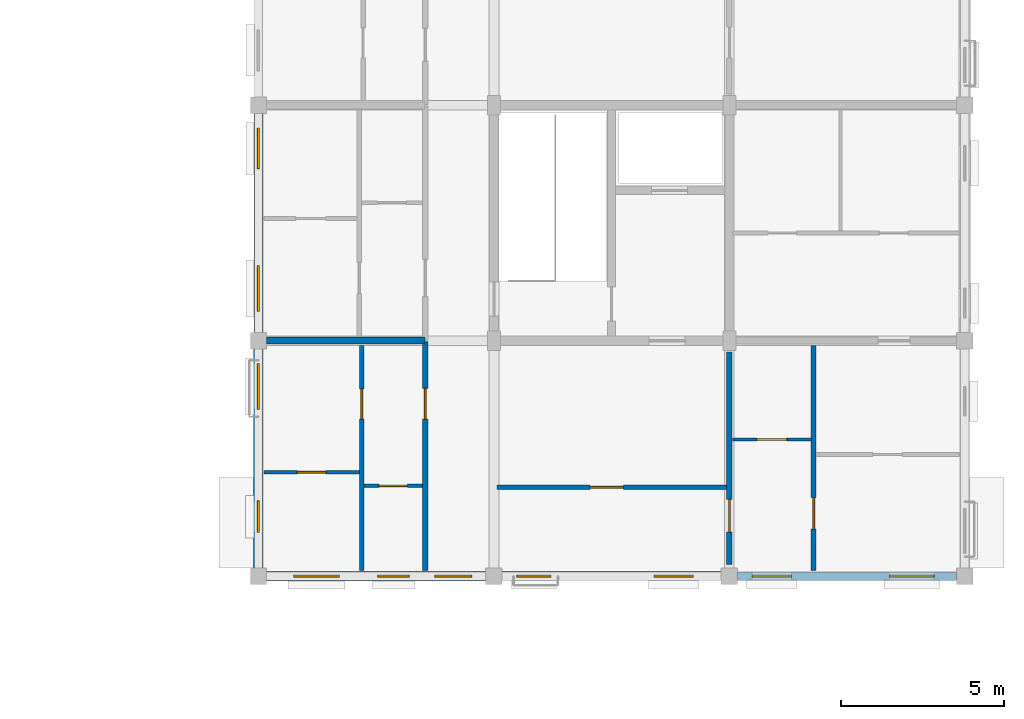
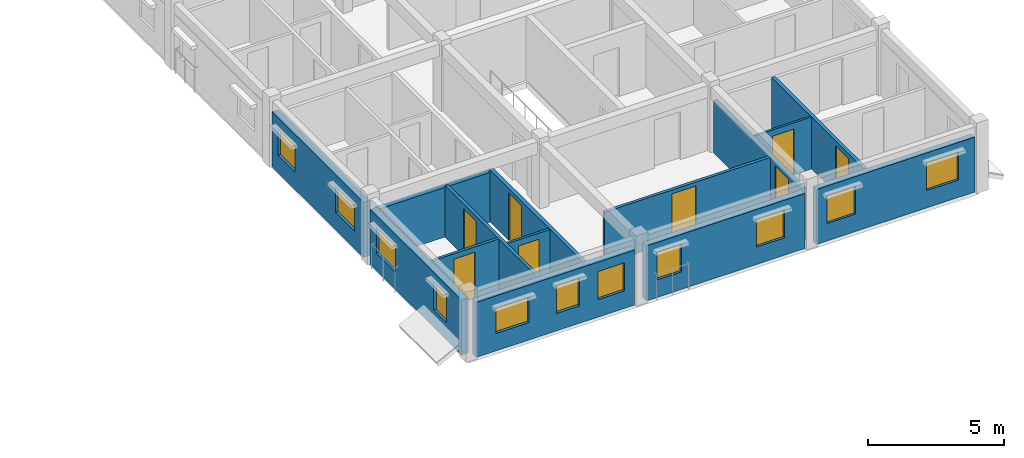
# One storey, part 21 of 38: 14 walls, 11 windows, 8 doors, 19 openings.
"""IFC4 building model written with IfcOpenShell, lengths in metres."""

from ifc_helpers import new_model, si_unit, direction, frame, frame_2d, origin, place, context, subcontext, project, spatial, rectangle, extrude, material, layer, layer_set, type_object, element, fill, save


model = new_model("IFC4")

# Units and contexts
model_context = context("Model", 3, precision=1e-05, world=origin(), true_north=direction((0.0, 1.0)))
body_context = subcontext(model_context, "Body", "Model", "MODEL_VIEW")
ifc_project = project(units=[si_unit("LENGTHUNIT", "METRE"), si_unit("AREAUNIT", "SQUARE_METRE"), si_unit("VOLUMEUNIT", "CUBIC_METRE"), si_unit("PLANEANGLEUNIT", "RADIAN"), si_unit("MASSUNIT", "GRAM", prefix="KILO"), si_unit("THERMODYNAMICTEMPERATUREUNIT", "KELVIN"), si_unit("POWERUNIT", "WATT")], contexts=[model_context])

# Site, building, storey
site_placement = place(None, origin())
site = spatial("IfcSite", under=ifc_project, at=site_placement, CompositionType="ELEMENT")
building_placement = place(site_placement, origin())
building = spatial("IfcBuilding", under=site, at=building_placement, Name="Tavuni Mirador Residences", CompositionType="ELEMENT")
storey_placement = place(building_placement, frame((0.0, 0.0, 32.85009765625)))
storey = spatial("IfcBuildingStorey", under=building, at=storey_placement, Name="L10", CompositionType="ELEMENT", Elevation=32.85009765625)

# Wall, opening, door
ifc_material_1 = material(Name="Precast concrete C40/50", Category="concrete")
ifc_layer_1 = layer(ifc_material_1, 0.1650390625, Name="Precast concrete C40/50", Category="concrete")
ifc_layer_set_1 = layer_set([ifc_layer_1], Name="Precast concrete C40/50")
wall_type_1 = type_object("IfcWallType", Name="WT-CORR165", PredefinedType="PARTITIONING", material=ifc_layer_set_1)
wall_1_placement = place(storey_placement, frame((102.300048828125, 86.574951171875, 0.0), z_axis=(0.0, 0.0, 1.0), x_axis=(0.0, 1.0, 0.0)))
wall_1 = element("IfcWall", 1, at=wall_1_placement, inside=storey, type_object=wall_type_1, Name="CORW-BLK-D-L10-0-00", PredefinedType="PARTITIONING", context=body_context, shape_type="SweptSolid", body=[
    extrude(rectangle(XDim=7.005126953125, YDim=0.1650390625, at=frame_2d((3.50244140625, 0.0))), origin(), (0.0, 0.0, 1.0), 2.324951171875),
])
opening_1_placement = place(wall_1_placement, frame((4.625, 0.0, 0.0)))
opening_1 = element("IfcOpeningElement", 2, at=opening_1_placement, cuts=wall_1, Name="Opening D-19", PredefinedType="OPENING", context=body_context, shape_type="SweptSolid", body=[
    extrude(rectangle(XDim=0.93994140625, YDim=2.1201171875, at=frame_2d((0.469970703125, 1.06005859375))), frame((0.0, 0.092529296875, 0.0), z_axis=(0.0, -1.0, 0.0), x_axis=(1.0, 0.0, 0.0)), (0.0, 0.0, 1.0), 0.18505859375),
])
ifc_material_2 = material(Name="Solid core iroko timber", Category="wood")
door_type_1 = type_object("IfcDoorType", Name="DT-FD60-940", OperationType="NOTDEFINED", PredefinedType="DOOR", material=ifc_material_2)
door_1_placement = place(opening_1_placement, origin())
door_1 = element("IfcDoor", 3, at=door_1_placement, inside=storey, type_object=door_type_1, Name="DR-2923", OperationType="SINGLE_SWING_RIGHT", OverallHeight=2.1201171875, OverallWidth=0.93994140625, PredefinedType="DOOR", context=body_context, shape_type="SweptSolid", body=[
    extrude(rectangle(XDim=0.93994140625, YDim=2.1201171875, at=frame_2d((0.469970703125, 1.06005859375))), frame((0.0, 0.02490234375, 0.0), z_axis=(0.0, -1.0, 0.0), x_axis=(1.0, 0.0, 0.0)), (0.0, 0.0, 1.0), 0.050048828125),
])
fill(opening_1, door_1)

wall_2_placement = place(storey_placement, frame((111.60009765625, 86.75, 0.0), z_axis=(0.0, 0.0, 1.0), x_axis=(0.0, 1.0, 0.0)))
wall_2 = element("IfcWall", 4, at=wall_2_placement, inside=storey, type_object=wall_type_1, Name="CORW-BLK-D-L10-1-00", PredefinedType="PARTITIONING", context=body_context, shape_type="SweptSolid", body=[
    extrude(rectangle(XDim=6.5, YDim=0.1650390625, at=frame_2d((3.25, 0.0))), origin(), (0.0, 0.0, 1.0), 2.324951171875),
])
opening_2_placement = place(wall_2_placement, frame((1.0, 0.0, 0.0)))
opening_2 = element("IfcOpeningElement", 5, at=opening_2_placement, cuts=wall_2, Name="Opening D-03", PredefinedType="OPENING", context=body_context, shape_type="SweptSolid", body=[
    extrude(rectangle(XDim=1.0, YDim=2.14990234375, at=frame_2d((0.5, 1.074951171875))), frame((0.0, 0.092529296875, 0.0), z_axis=(0.0, -1.0, 0.0), x_axis=(1.0, 0.0, 0.0)), (0.0, 0.0, 1.0), 0.18505859375),
])
door_type_2 = type_object("IfcDoorType", Name="DT-FD60-1000", OperationType="NOTDEFINED", PredefinedType="DOOR", material=ifc_material_2)
door_2_placement = place(opening_2_placement, origin())
door_2 = element("IfcDoor", 6, at=door_2_placement, inside=storey, type_object=door_type_2, Name="DR-2928", OperationType="SINGLE_SWING_LEFT", OverallHeight=2.14990234375, OverallWidth=1.0, PredefinedType="DOOR", context=body_context, shape_type="SweptSolid", body=[
    extrude(rectangle(XDim=1.0, YDim=2.14990234375, at=frame_2d((0.5, 1.074951171875))), frame((0.0, 0.02490234375, 0.0), z_axis=(0.0, -1.0, 0.0), x_axis=(1.0, 0.0, 0.0)), (0.0, 0.0, 1.0), 0.050048828125),
])
fill(opening_2, door_2)

# Wall, openings, windows
ifc_material_3 = material(Name="Sgraffito lime-rendered precast concrete C40/50", Category="concrete")
ifc_layer_2 = layer(ifc_material_3, 0.2548828125, Name="Sgraffito lime-rendered precast concrete C40/50", Category="concrete")
ifc_layer_set_2 = layer_set([ifc_layer_2], Name="Sgraffito lime-rendered precast concrete C40/50")
wall_type_2 = type_object("IfcWallType", Name="WT-EXT-PC255", PredefinedType="SOLIDWALL", material=ifc_layer_set_2)
wall_3_placement = place(storey_placement, frame((111.85009765625, 86.39990234375, 0.0), z_axis=(0.0, 0.0, 1.0), x_axis=(1.0, 0.0, 0.0)))
wall_3 = element("IfcWall", 7, at=wall_3_placement, inside=storey, type_object=wall_type_2, Name="EW-BLK-D-L10-S02", PredefinedType="SOLIDWALL", context=body_context, shape_type="SweptSolid", body=[
    extrude(rectangle(XDim=6.699951171875, YDim=0.2548828125, at=frame_2d((3.35009765625, 0.0))), origin(), (0.0, 0.0, 1.0), 2.4599609375),
])
opening_3_placement = place(wall_3_placement, frame((0.449951171875, 0.0, 0.780029296875)))
opening_3 = element("IfcOpeningElement", 8, at=opening_3_placement, cuts=wall_3, Name="Opening WN-13", PredefinedType="OPENING", context=body_context, shape_type="SweptSolid", body=[
    extrude(rectangle(XDim=1.199951171875, YDim=1.260009765625, at=frame_2d((0.60009765625, 0.6298828125))), frame((0.0, 0.137451171875, 0.0), z_axis=(0.0, -1.0, 0.0), x_axis=(1.0, 0.0, 0.0)), (0.0, 0.0, 1.0), 0.27490234375),
])
opening_4_placement = place(wall_3_placement, frame((4.64990234375, 0.0, 0.780029296875)))
opening_4 = element("IfcOpeningElement", 9, at=opening_4_placement, cuts=wall_3, Name="Opening WN-15", PredefinedType="OPENING", context=body_context, shape_type="SweptSolid", body=[
    extrude(rectangle(XDim=1.360107421875, YDim=1.260009765625, at=frame_2d((0.68017578125, 0.6298828125))), frame((0.0, 0.137451171875, 0.0), z_axis=(0.0, -1.0, 0.0), x_axis=(1.0, 0.0, 0.0)), (0.0, 0.0, 1.0), 0.27490234375),
])
ifc_material_4 = material(Name="Laminated solar-control glass", Category="glass")
window_type_1 = type_object("IfcWindowType", Name="WNT-13", PartitioningType="SINGLE_PANEL", PredefinedType="WINDOW", material=ifc_material_4)
window_1_placement = place(opening_3_placement, origin())
window_1 = element("IfcWindow", 10, at=window_1_placement, inside=storey, type_object=window_type_1, Name="WIN-1802", OverallHeight=1.260009765625, OverallWidth=1.199951171875, PartitioningType="SINGLE_PANEL", PredefinedType="WINDOW", context=body_context, shape_type="SweptSolid", body=[
    extrude(rectangle(XDim=1.199951171875, YDim=1.260009765625, at=frame_2d((0.60009765625, 0.6298828125))), frame((0.0, 0.030029296875, 0.0), z_axis=(0.0, -1.0, 0.0), x_axis=(1.0, 0.0, 0.0)), (0.0, 0.0, 1.0), 0.06005859375),
])
fill(opening_3, window_1)
window_type_2 = type_object("IfcWindowType", Name="WNT-15", PartitioningType="SINGLE_PANEL", PredefinedType="WINDOW", material=ifc_material_4)
window_2_placement = place(opening_4_placement, origin())
window_2 = element("IfcWindow", 11, at=window_2_placement, inside=storey, type_object=window_type_2, Name="WIN-1803", OverallHeight=1.260009765625, OverallWidth=1.360107421875, PartitioningType="SINGLE_PANEL", PredefinedType="WINDOW", context=body_context, shape_type="SweptSolid", body=[
    extrude(rectangle(XDim=1.360107421875, YDim=1.260009765625, at=frame_2d((0.68017578125, 0.6298828125))), frame((0.0, 0.030029296875, 0.0), z_axis=(0.0, -1.0, 0.0), x_axis=(1.0, 0.0, 0.0)), (0.0, 0.0, 1.0), 0.06005859375),
])
fill(opening_4, window_2)

ifc_layer_3 = layer(ifc_material_3, 0.27490234375, Name="Sgraffito lime-rendered precast concrete C40/50", Category="concrete")
ifc_layer_set_3 = layer_set([ifc_layer_3], Name="Sgraffito lime-rendered precast concrete C40/50")
wall_type_3 = type_object("IfcWallType", Name="WT-EXT-PC275", PredefinedType="SOLIDWALL", material=ifc_layer_set_3)
wall_4_placement = place(storey_placement, frame((104.64990234375, 86.39990234375, 0.0), z_axis=(0.0, 0.0, 1.0), x_axis=(1.0, 0.0, 0.0)))
wall_4 = element("IfcWall", 12, at=wall_4_placement, inside=storey, type_object=wall_type_3, Name="EW-BLK-D-L10-S01", PredefinedType="SOLIDWALL", context=body_context, shape_type="SweptSolid", body=[
    extrude(rectangle(XDim=6.7001953125, YDim=0.27490234375, at=frame_2d((3.35009765625, 0.0))), origin(), (0.0, 0.0, 1.0), 2.4599609375),
])
opening_5_placement = place(wall_4_placement, frame((0.449951171875, 0.0, 0.780029296875)))
opening_5 = element("IfcOpeningElement", 13, at=opening_5_placement, cuts=wall_4, Name="Opening WN-11", PredefinedType="OPENING", context=body_context, shape_type="SweptSolid", body=[
    extrude(rectangle(XDim=1.0400390625, YDim=1.260009765625, at=frame_2d((0.52001953125, 0.6298828125))), frame((0.0, 0.1474609375, 0.0), z_axis=(0.0, -1.0, 0.0), x_axis=(1.0, 0.0, 0.0)), (0.0, 0.0, 1.0), 0.294921875),
])
opening_6_placement = place(wall_4_placement, frame((4.64990234375, 0.0, 0.780029296875)))
opening_6 = element("IfcOpeningElement", 14, at=opening_6_placement, cuts=wall_4, Name="Opening WN-13", PredefinedType="OPENING", context=body_context, shape_type="SweptSolid", body=[
    extrude(rectangle(XDim=1.199951171875, YDim=1.260009765625, at=frame_2d((0.60009765625, 0.6298828125))), frame((0.0, 0.1474609375, 0.0), z_axis=(0.0, -1.0, 0.0), x_axis=(1.0, 0.0, 0.0)), (0.0, 0.0, 1.0), 0.294921875),
])
window_type_3 = type_object("IfcWindowType", Name="WNT-11", PartitioningType="SINGLE_PANEL", PredefinedType="WINDOW", material=ifc_material_4)
window_3_placement = place(opening_5_placement, origin())
window_3 = element("IfcWindow", 15, at=window_3_placement, inside=storey, type_object=window_type_3, Name="WIN-1800", OverallHeight=1.260009765625, OverallWidth=1.0400390625, PartitioningType="SINGLE_PANEL", PredefinedType="WINDOW", context=body_context, shape_type="SweptSolid", body=[
    extrude(rectangle(XDim=1.0400390625, YDim=1.260009765625, at=frame_2d((0.52001953125, 0.6298828125))), frame((0.0, 0.030029296875, 0.0), z_axis=(0.0, -1.0, 0.0), x_axis=(1.0, 0.0, 0.0)), (0.0, 0.0, 1.0), 0.06005859375),
])
fill(opening_5, window_3)
window_4_placement = place(opening_6_placement, origin())
window_4 = element("IfcWindow", 16, at=window_4_placement, inside=storey, type_object=window_type_1, Name="WIN-1801", OverallHeight=1.260009765625, OverallWidth=1.199951171875, PartitioningType="SINGLE_PANEL", PredefinedType="WINDOW", context=body_context, shape_type="SweptSolid", body=[
    extrude(rectangle(XDim=1.199951171875, YDim=1.260009765625, at=frame_2d((0.60009765625, 0.6298828125))), frame((0.0, 0.030029296875, 0.0), z_axis=(0.0, -1.0, 0.0), x_axis=(1.0, 0.0, 0.0)), (0.0, 0.0, 1.0), 0.06005859375),
])
fill(opening_6, window_4)

wall_5_placement = place(storey_placement, frame((97.199951171875, 100.550048828125, 0.0), z_axis=(0.0, 0.0, 1.0), x_axis=(0.0, -1.0, 0.0)))
wall_5 = element("IfcWall", 17, at=wall_5_placement, inside=storey, type_object=wall_type_3, Name="EW-BLK-D-L10-W01", PredefinedType="SOLIDWALL", context=body_context, shape_type="SweptSolid", body=[
    extrude(rectangle(XDim=6.699951171875, YDim=0.27490234375, at=frame_2d((3.35009765625, 0.0))), origin(), (0.0, 0.0, 1.0), 2.4599609375),
])
opening_7_placement = place(wall_5_placement, frame((0.449951171875, 0.0, 0.780029296875)))
opening_7 = element("IfcOpeningElement", 18, at=opening_7_placement, cuts=wall_5, Name="Opening WN-06", PredefinedType="OPENING", context=body_context, shape_type="SweptSolid", body=[
    extrude(rectangle(XDim=1.239990234375, YDim=1.14990234375, at=frame_2d((0.6201171875, 0.574951171875))), frame((0.0, 0.1474609375, 0.0), z_axis=(0.0, -1.0, 0.0), x_axis=(1.0, 0.0, 0.0)), (0.0, 0.0, 1.0), 0.294921875),
])
opening_8_placement = place(wall_5_placement, frame((4.64990234375, 0.0, 0.780029296875)))
opening_8 = element("IfcOpeningElement", 19, at=opening_8_placement, cuts=wall_5, Name="Opening WN-08", PredefinedType="OPENING", context=body_context, shape_type="SweptSolid", body=[
    extrude(rectangle(XDim=1.39990234375, YDim=1.14990234375, at=frame_2d((0.699951171875, 0.574951171875))), frame((0.0, 0.1474609375, 0.0), z_axis=(0.0, -1.0, 0.0), x_axis=(1.0, 0.0, 0.0)), (0.0, 0.0, 1.0), 0.294921875),
])
window_type_4 = type_object("IfcWindowType", Name="WNT-06", PartitioningType="SINGLE_PANEL", PredefinedType="WINDOW", material=ifc_material_4)
window_5_placement = place(opening_7_placement, origin())
window_5 = element("IfcWindow", 20, at=window_5_placement, inside=storey, type_object=window_type_4, Name="WIN-1825", OverallHeight=1.14990234375, OverallWidth=1.239990234375, PartitioningType="SINGLE_PANEL", PredefinedType="WINDOW", context=body_context, shape_type="SweptSolid", body=[
    extrude(rectangle(XDim=1.239990234375, YDim=1.14990234375, at=frame_2d((0.6201171875, 0.574951171875))), frame((0.0, 0.030029296875, 0.0), z_axis=(0.0, -1.0, 0.0), x_axis=(1.0, 0.0, 0.0)), (0.0, 0.0, 1.0), 0.06005859375),
])
fill(opening_7, window_5)
window_type_5 = type_object("IfcWindowType", Name="WNT-08", PartitioningType="SINGLE_PANEL", PredefinedType="WINDOW", material=ifc_material_4)
window_6_placement = place(opening_8_placement, origin())
window_6 = element("IfcWindow", 21, at=window_6_placement, inside=storey, type_object=window_type_5, Name="WIN-1826", OverallHeight=1.14990234375, OverallWidth=1.39990234375, PartitioningType="SINGLE_PANEL", PredefinedType="WINDOW", context=body_context, shape_type="SweptSolid", body=[
    extrude(rectangle(XDim=1.39990234375, YDim=1.14990234375, at=frame_2d((0.699951171875, 0.574951171875))), frame((0.0, 0.030029296875, 0.0), z_axis=(0.0, -1.0, 0.0), x_axis=(1.0, 0.0, 0.0)), (0.0, 0.0, 1.0), 0.06005859375),
])
fill(opening_8, window_6)

ifc_layer_4 = layer(ifc_material_3, 0.2900390625, Name="Sgraffito lime-rendered precast concrete C40/50", Category="concrete")
ifc_layer_set_4 = layer_set([ifc_layer_4], Name="Sgraffito lime-rendered precast concrete C40/50")
wall_type_4 = type_object("IfcWallType", Name="WT-EXT-PC290", PredefinedType="SOLIDWALL", material=ifc_layer_set_4)
wall_6_placement = place(storey_placement, frame((97.449951171875, 86.39990234375, 0.0), z_axis=(0.0, 0.0, 1.0), x_axis=(1.0, 0.0, 0.0)))
wall_6 = element("IfcWall", 22, at=wall_6_placement, inside=storey, type_object=wall_type_4, Name="EW-BLK-D-L10-S00", PredefinedType="SOLIDWALL", context=body_context, shape_type="SweptSolid", body=[
    extrude(rectangle(XDim=6.699951171875, YDim=0.2900390625, at=frame_2d((3.35009765625, 0.0))), origin(), (0.0, 0.0, 1.0), 2.4599609375),
])
opening_9_placement = place(wall_6_placement, frame((0.824951171875, 0.0, 0.780029296875)))
opening_9 = element("IfcOpeningElement", 23, at=opening_9_placement, cuts=wall_6, Name="Opening WN-08", PredefinedType="OPENING", context=body_context, shape_type="SweptSolid", body=[
    extrude(rectangle(XDim=1.39990234375, YDim=1.14990234375, at=frame_2d((0.699951171875, 0.574951171875))), frame((0.0, 0.155029296875, 0.0), z_axis=(0.0, -1.0, 0.0), x_axis=(1.0, 0.0, 0.0)), (0.0, 0.0, 1.0), 0.31005859375),
])
opening_10_placement = place(wall_6_placement, frame((3.39990234375, 0.0, 0.780029296875)))
opening_10 = element("IfcOpeningElement", 24, at=opening_10_placement, cuts=wall_6, Name="Opening WN-10", PredefinedType="OPENING", context=body_context, shape_type="SweptSolid", body=[
    extrude(rectangle(XDim=0.9599609375, YDim=1.260009765625, at=frame_2d((0.47998046875, 0.6298828125))), frame((0.0, 0.155029296875, 0.0), z_axis=(0.0, -1.0, 0.0), x_axis=(1.0, 0.0, 0.0)), (0.0, 0.0, 1.0), 0.31005859375),
])
opening_11_placement = place(wall_6_placement, frame((5.14501953125, 0.0, 0.780029296875)))
opening_11 = element("IfcOpeningElement", 25, at=opening_11_placement, cuts=wall_6, Name="Opening WN-12", PredefinedType="OPENING", context=body_context, shape_type="SweptSolid", body=[
    extrude(rectangle(XDim=1.1201171875, YDim=1.260009765625, at=frame_2d((0.56005859375, 0.6298828125))), frame((0.0, 0.155029296875, 0.0), z_axis=(0.0, -1.0, 0.0), x_axis=(1.0, 0.0, 0.0)), (0.0, 0.0, 1.0), 0.31005859375),
])
window_7_placement = place(opening_9_placement, origin())
window_7 = element("IfcWindow", 26, at=window_7_placement, inside=storey, type_object=window_type_5, Name="WIN-1797", OverallHeight=1.14990234375, OverallWidth=1.39990234375, PartitioningType="SINGLE_PANEL", PredefinedType="WINDOW", context=body_context, shape_type="SweptSolid", body=[
    extrude(rectangle(XDim=1.39990234375, YDim=1.14990234375, at=frame_2d((0.699951171875, 0.574951171875))), frame((0.0, 0.030029296875, 0.0), z_axis=(0.0, -1.0, 0.0), x_axis=(1.0, 0.0, 0.0)), (0.0, 0.0, 1.0), 0.06005859375),
])
fill(opening_9, window_7)
window_type_6 = type_object("IfcWindowType", Name="WNT-10", PartitioningType="SINGLE_PANEL", PredefinedType="WINDOW", material=ifc_material_4)
window_8_placement = place(opening_10_placement, origin())
window_8 = element("IfcWindow", 27, at=window_8_placement, inside=storey, type_object=window_type_6, Name="WIN-1798", OverallHeight=1.260009765625, OverallWidth=0.9599609375, PartitioningType="SINGLE_PANEL", PredefinedType="WINDOW", context=body_context, shape_type="SweptSolid", body=[
    extrude(rectangle(XDim=0.9599609375, YDim=1.260009765625, at=frame_2d((0.47998046875, 0.6298828125))), frame((0.0, 0.030029296875, 0.0), z_axis=(0.0, -1.0, 0.0), x_axis=(1.0, 0.0, 0.0)), (0.0, 0.0, 1.0), 0.06005859375),
])
fill(opening_10, window_8)
window_type_7 = type_object("IfcWindowType", Name="WNT-12", PartitioningType="SINGLE_PANEL", PredefinedType="WINDOW", material=ifc_material_4)
window_9_placement = place(opening_11_placement, origin())
window_9 = element("IfcWindow", 28, at=window_9_placement, inside=storey, type_object=window_type_7, Name="WIN-1799", OverallHeight=1.260009765625, OverallWidth=1.1201171875, PartitioningType="SINGLE_PANEL", PredefinedType="WINDOW", context=body_context, shape_type="SweptSolid", body=[
    extrude(rectangle(XDim=1.1201171875, YDim=1.260009765625, at=frame_2d((0.56005859375, 0.6298828125))), frame((0.0, 0.030029296875, 0.0), z_axis=(0.0, -1.0, 0.0), x_axis=(1.0, 0.0, 0.0)), (0.0, 0.0, 1.0), 0.06005859375),
])
fill(opening_11, window_9)

wall_7_placement = place(storey_placement, frame((97.199951171875, 93.35009765625, 0.0), z_axis=(0.0, 0.0, 1.0), x_axis=(0.0, -1.0, 0.0)))
wall_7 = element("IfcWall", 29, at=wall_7_placement, inside=storey, type_object=wall_type_4, Name="EW-BLK-D-L10-W00", PredefinedType="SOLIDWALL", context=body_context, shape_type="SweptSolid", body=[
    extrude(rectangle(XDim=6.7001953125, YDim=0.2900390625, at=frame_2d((3.35009765625, 0.0))), origin(), (0.0, 0.0, 1.0), 2.4599609375),
])
opening_12_placement = place(wall_7_placement, frame((0.449951171875, 0.0, 0.780029296875)))
opening_12 = element("IfcOpeningElement", 30, at=opening_12_placement, cuts=wall_7, Name="Opening WN-08", PredefinedType="OPENING", context=body_context, shape_type="SweptSolid", body=[
    extrude(rectangle(XDim=1.39990234375, YDim=1.14990234375, at=frame_2d((0.699951171875, 0.574951171875))), frame((0.0, 0.155029296875, 0.0), z_axis=(0.0, -1.0, 0.0), x_axis=(1.0, 0.0, 0.0)), (0.0, 0.0, 1.0), 0.31005859375),
])
opening_13_placement = place(wall_7_placement, frame((4.64990234375, 0.0, 0.780029296875)))
opening_13 = element("IfcOpeningElement", 31, at=opening_13_placement, cuts=wall_7, Name="Opening WN-10", PredefinedType="OPENING", context=body_context, shape_type="SweptSolid", body=[
    extrude(rectangle(XDim=0.9599609375, YDim=1.260009765625, at=frame_2d((0.47998046875, 0.6298828125))), frame((0.0, 0.155029296875, 0.0), z_axis=(0.0, -1.0, 0.0), x_axis=(1.0, 0.0, 0.0)), (0.0, 0.0, 1.0), 0.31005859375),
])
window_10_placement = place(opening_12_placement, origin())
window_10 = element("IfcWindow", 32, at=window_10_placement, inside=storey, type_object=window_type_5, Name="WIN-1827", OverallHeight=1.14990234375, OverallWidth=1.39990234375, PartitioningType="SINGLE_PANEL", PredefinedType="WINDOW", context=body_context, shape_type="SweptSolid", body=[
    extrude(rectangle(XDim=1.39990234375, YDim=1.14990234375, at=frame_2d((0.699951171875, 0.574951171875))), frame((0.0, 0.030029296875, 0.0), z_axis=(0.0, -1.0, 0.0), x_axis=(1.0, 0.0, 0.0)), (0.0, 0.0, 1.0), 0.06005859375),
])
fill(opening_12, window_10)
window_11_placement = place(opening_13_placement, origin())
window_11 = element("IfcWindow", 33, at=window_11_placement, inside=storey, type_object=window_type_6, Name="WIN-1828", OverallHeight=1.260009765625, OverallWidth=0.9599609375, PartitioningType="SINGLE_PANEL", PredefinedType="WINDOW", context=body_context, shape_type="SweptSolid", body=[
    extrude(rectangle(XDim=0.9599609375, YDim=1.260009765625, at=frame_2d((0.47998046875, 0.6298828125))), frame((0.0, 0.030029296875, 0.0), z_axis=(0.0, -1.0, 0.0), x_axis=(1.0, 0.0, 0.0)), (0.0, 0.0, 1.0), 0.06005859375),
])
fill(opening_13, window_11)

# Wall, opening, door
ifc_material_5 = material(Name="Acoustic gypsum and concrete block partition", Category="concrete")
ifc_layer_5 = layer(ifc_material_5, 0.094970703125, Name="Acoustic gypsum and concrete block partition", Category="concrete")
ifc_layer_set_5 = layer_set([ifc_layer_5], Name="Acoustic gypsum and concrete block partition")
wall_type_5 = type_object("IfcWallType", Name="WT-PART095", PredefinedType="PARTITIONING", material=ifc_layer_set_5)
wall_8_placement = place(storey_placement, frame((111.68994140625, 90.580078125, 0.0), z_axis=(0.0, 0.0, 1.0), x_axis=(1.0, 0.0, 0.0)))
wall_8 = element("IfcWall", 34, at=wall_8_placement, inside=storey, type_object=wall_type_5, Name="PW-BLK-D-L10-E00-IN1", PredefinedType="PARTITIONING", context=body_context, shape_type="SweptSolid", body=[
    extrude(rectangle(XDim=2.420166015625, YDim=0.094970703125, at=frame_2d((1.2099609375, 0.0))), origin(), (0.0, 0.0, 1.0), 2.324951171875),
])
opening_14_placement = place(wall_8_placement, frame((0.760009765625, 0.0, 0.0)))
opening_14 = element("IfcOpeningElement", 35, at=opening_14_placement, cuts=wall_8, Name="Opening D-09", PredefinedType="OPENING", context=body_context, shape_type="SweptSolid", body=[
    extrude(rectangle(XDim=0.89990234375, YDim=2.050048828125, at=frame_2d((0.449951171875, 1.02490234375))), frame((0.0, 0.0576171875, 0.0), z_axis=(0.0, -1.0, 0.0), x_axis=(1.0, 0.0, 0.0)), (0.0, 0.0, 1.0), 0.114990234375),
])
door_type_3 = type_object("IfcDoorType", Name="DT-WC900", OperationType="NOTDEFINED", PredefinedType="DOOR", material=ifc_material_2)
door_3_placement = place(opening_14_placement, origin())
door_3 = element("IfcDoor", 36, at=door_3_placement, inside=storey, type_object=door_type_3, Name="DR-4651", OperationType="SINGLE_SWING_RIGHT", OverallHeight=2.050048828125, OverallWidth=0.89990234375, PredefinedType="DOOR", context=body_context, shape_type="SweptSolid", body=[
    extrude(rectangle(XDim=0.89990234375, YDim=2.050048828125, at=frame_2d((0.449951171875, 1.02490234375))), frame((0.0, 0.02490234375, 0.0), z_axis=(0.0, -1.0, 0.0), x_axis=(1.0, 0.0, 0.0)), (0.0, 0.0, 1.0), 0.050048828125),
])
fill(opening_14, door_3)

ifc_layer_6 = layer(ifc_material_5, 0.10498046875, Name="Acoustic gypsum and concrete block partition", Category="concrete")
ifc_layer_set_6 = layer_set([ifc_layer_6], Name="Acoustic gypsum and concrete block partition")
wall_type_6 = type_object("IfcWallType", Name="WT-PART105", PredefinedType="PARTITIONING", material=ifc_layer_set_6)
wall_9_placement = place(storey_placement, frame((100.429931640625, 89.159912109375, 0.0), z_axis=(0.0, 0.0, 1.0), x_axis=(1.0, 0.0, 0.0)))
wall_9 = element("IfcWall", 37, at=wall_9_placement, inside=storey, type_object=wall_type_6, Name="PW-BLK-D-L10-W00-IN1", PredefinedType="PARTITIONING", context=body_context, shape_type="SweptSolid", body=[
    extrude(rectangle(XDim=1.780029296875, YDim=0.10498046875, at=frame_2d((0.89013671875, 0.0))), origin(), (0.0, 0.0, 1.0), 2.324951171875),
])
opening_15_placement = place(wall_9_placement, frame((0.455078125, 0.0, 0.0)))
opening_15 = element("IfcOpeningElement", 38, at=opening_15_placement, cuts=wall_9, Name="Opening D-10", PredefinedType="OPENING", context=body_context, shape_type="SweptSolid", body=[
    extrude(rectangle(XDim=0.8701171875, YDim=2.050048828125, at=frame_2d((0.43505859375, 1.02490234375))), frame((0.0, 0.0625, 0.0), z_axis=(0.0, -1.0, 0.0), x_axis=(1.0, 0.0, 0.0)), (0.0, 0.0, 1.0), 0.125),
])
door_type_4 = type_object("IfcDoorType", Name="DT-WC870", OperationType="NOTDEFINED", PredefinedType="DOOR", material=ifc_material_2)
door_4_placement = place(opening_15_placement, origin())
door_4 = element("IfcDoor", 39, at=door_4_placement, inside=storey, type_object=door_type_4, Name="DR-4648", OperationType="SINGLE_SWING_LEFT", OverallHeight=2.050048828125, OverallWidth=0.8701171875, PredefinedType="DOOR", context=body_context, shape_type="SweptSolid", body=[
    extrude(rectangle(XDim=0.8701171875, YDim=2.050048828125, at=frame_2d((0.43505859375, 1.02490234375))), frame((0.0, 0.02490234375, 0.0), z_axis=(0.0, -1.0, 0.0), x_axis=(1.0, 0.0, 0.0)), (0.0, 0.0, 1.0), 0.050048828125),
])
fill(opening_15, door_4)

ifc_layer_7 = layer(ifc_material_5, 0.114990234375, Name="Acoustic gypsum and concrete block partition", Category="concrete")
ifc_layer_set_7 = layer_set([ifc_layer_7], Name="Acoustic gypsum and concrete block partition")
wall_type_7 = type_object("IfcWallType", Name="WT-PART115", PredefinedType="PARTITIONING", material=ifc_layer_set_7)
wall_10_placement = place(storey_placement, frame((97.375, 89.580078125, 0.0), z_axis=(0.0, 0.0, 1.0), x_axis=(1.0, 0.0, 0.0)))
wall_10 = element("IfcWall", 40, at=wall_10_placement, inside=storey, type_object=wall_type_7, Name="PW-BLK-D-L10-W00-OUT", PredefinedType="PARTITIONING", context=body_context, shape_type="SweptSolid", body=[
    extrude(rectangle(XDim=2.9150390625, YDim=0.114990234375, at=frame_2d((1.45751953125, 0.0))), origin(), (0.0, 0.0, 1.0), 2.324951171875),
])
opening_16_placement = place(wall_10_placement, frame((1.017578125, 0.0, 0.0)))
opening_16 = element("IfcOpeningElement", 41, at=opening_16_placement, cuts=wall_10, Name="Opening D-08", PredefinedType="OPENING", context=body_context, shape_type="SweptSolid", body=[
    extrude(rectangle(XDim=0.8798828125, YDim=2.080078125, at=frame_2d((0.43994140625, 1.0400390625))), frame((0.0, 0.0673828125, 0.0), z_axis=(0.0, -1.0, 0.0), x_axis=(1.0, 0.0, 0.0)), (0.0, 0.0, 1.0), 0.135009765625),
])
door_type_5 = type_object("IfcDoorType", Name="DT-BED880", OperationType="NOTDEFINED", PredefinedType="DOOR", material=ifc_material_2)
door_5_placement = place(opening_16_placement, origin())
door_5 = element("IfcDoor", 42, at=door_5_placement, inside=storey, type_object=door_type_5, Name="DR-4647", OperationType="SINGLE_SWING_RIGHT", OverallHeight=2.080078125, OverallWidth=0.8798828125, PredefinedType="DOOR", context=body_context, shape_type="SweptSolid", body=[
    extrude(rectangle(XDim=0.8798828125, YDim=2.080078125, at=frame_2d((0.43994140625, 1.0400390625))), frame((0.0, 0.02490234375, 0.0), z_axis=(0.0, -1.0, 0.0), x_axis=(1.0, 0.0, 0.0)), (0.0, 0.0, 1.0), 0.050048828125),
])
fill(opening_16, door_5)

ifc_layer_8 = layer(ifc_material_5, 0.125, Name="Acoustic gypsum and concrete block partition", Category="concrete")
ifc_layer_set_8 = layer_set([ifc_layer_8], Name="Acoustic gypsum and concrete block partition")
wall_type_8 = type_object("IfcWallType", Name="WT-PART125", PredefinedType="PARTITIONING", material=ifc_layer_set_8)
wall_11_placement = place(storey_placement, frame((104.489990234375, 89.1201171875, 0.0), z_axis=(0.0, 0.0, 1.0), x_axis=(1.0, 0.0, 0.0)))
wall_11 = element("IfcWall", 43, at=wall_11_placement, inside=storey, type_object=wall_type_8, Name="PW-SPN-BLK-D-L10-00", PredefinedType="PARTITIONING", context=body_context, shape_type="SweptSolid", body=[
    extrude(rectangle(XDim=7.02001953125, YDim=0.125, at=frame_2d((3.510009765625, 0.0))), origin(), (0.0, 0.0, 1.0), 2.324951171875),
])
opening_17_placement = place(wall_11_placement, frame((2.85009765625, 0.0, 0.0)))
opening_17 = element("IfcOpeningElement", 44, at=opening_17_placement, cuts=wall_11, Name="Opening D-13", PredefinedType="OPENING", context=body_context, shape_type="SweptSolid", body=[
    extrude(rectangle(XDim=1.02001953125, YDim=2.14990234375, at=frame_2d((0.510009765625, 1.074951171875))), frame((0.0, 0.072509765625, 0.0), z_axis=(0.0, -1.0, 0.0), x_axis=(1.0, 0.0, 0.0)), (0.0, 0.0, 1.0), 0.14501953125),
])
door_type_6 = type_object("IfcDoorType", Name="DT-MTG1020", OperationType="NOTDEFINED", PredefinedType="DOOR", material=ifc_material_2)
door_6_placement = place(opening_17_placement, origin())
door_6 = element("IfcDoor", 45, at=door_6_placement, inside=storey, type_object=door_type_6, Name="DR-4646", OperationType="SINGLE_SWING_LEFT", OverallHeight=2.14990234375, OverallWidth=1.02001953125, PredefinedType="DOOR", context=body_context, shape_type="SweptSolid", body=[
    extrude(rectangle(XDim=1.02001953125, YDim=2.14990234375, at=frame_2d((0.510009765625, 1.074951171875))), frame((0.0, 0.02490234375, 0.0), z_axis=(0.0, -1.0, 0.0), x_axis=(1.0, 0.0, 0.0)), (0.0, 0.0, 1.0), 0.050048828125),
])
fill(opening_17, door_6)

ifc_layer_9 = layer(ifc_material_5, 0.139892578125, Name="Acoustic gypsum and concrete block partition", Category="concrete")
ifc_layer_set_9 = layer_set([ifc_layer_9], Name="Acoustic gypsum and concrete block partition")
wall_type_9 = type_object("IfcWallType", Name="WT-PART140", PredefinedType="PARTITIONING", material=ifc_layer_set_9)
wall_12_placement = place(storey_placement, frame((100.360107421875, 86.574951171875, 0.0), z_axis=(0.0, 0.0, 1.0), x_axis=(0.0, 1.0, 0.0)))
wall_12 = element("IfcWall", 46, at=wall_12_placement, inside=storey, type_object=wall_type_9, Name="PW-BLK-D-L10-W00-MID", PredefinedType="PARTITIONING", context=body_context, shape_type="SweptSolid", body=[
    extrude(rectangle(XDim=6.885009765625, YDim=0.139892578125, at=frame_2d((3.4423828125, 0.0))), origin(), (0.0, 0.0, 1.0), 2.324951171875),
])
opening_18_placement = place(wall_12_placement, frame((4.625, 0.0, 0.0)))
opening_18 = element("IfcOpeningElement", 47, at=opening_18_placement, cuts=wall_12, Name="Opening D-06", PredefinedType="OPENING", context=body_context, shape_type="SweptSolid", body=[
    extrude(rectangle(XDim=0.919921875, YDim=2.10009765625, at=frame_2d((0.4599609375, 1.050048828125))), frame((0.0, 0.080078125, 0.0), z_axis=(0.0, -1.0, 0.0), x_axis=(1.0, 0.0, 0.0)), (0.0, 0.0, 1.0), 0.159912109375),
])
door_type_7 = type_object("IfcDoorType", Name="DT-INT920", OperationType="NOTDEFINED", PredefinedType="DOOR", material=ifc_material_2)
door_7_placement = place(opening_18_placement, origin())
door_7 = element("IfcDoor", 48, at=door_7_placement, inside=storey, type_object=door_type_7, Name="DR-4649", OperationType="SINGLE_SWING_RIGHT", OverallHeight=2.10009765625, OverallWidth=0.919921875, PredefinedType="DOOR", context=body_context, shape_type="SweptSolid", body=[
    extrude(rectangle(XDim=0.919921875, YDim=2.10009765625, at=frame_2d((0.4599609375, 1.050048828125))), frame((0.0, 0.02490234375, 0.0), z_axis=(0.0, -1.0, 0.0), x_axis=(1.0, 0.0, 0.0)), (0.0, 0.0, 1.0), 0.050048828125),
])
fill(opening_18, door_7)

ifc_layer_10 = layer(ifc_material_5, 0.14990234375, Name="Acoustic gypsum and concrete block partition", Category="concrete")
ifc_layer_set_10 = layer_set([ifc_layer_10], Name="Acoustic gypsum and concrete block partition")
wall_type_10 = type_object("IfcWallType", Name="WT-PART150", PredefinedType="PARTITIONING", material=ifc_layer_set_10)
wall_13_placement = place(storey_placement, frame((114.179931640625, 86.574951171875, 0.0), z_axis=(0.0, 0.0, 1.0), x_axis=(0.0, 1.0, 0.0)))
wall_13 = element("IfcWall", 49, at=wall_13_placement, inside=storey, type_object=wall_type_10, Name="PW-BLK-D-L10-E00-MID", PredefinedType="PARTITIONING", context=body_context, shape_type="SweptSolid", body=[
    extrude(rectangle(XDim=6.885009765625, YDim=0.14990234375, at=frame_2d((3.4423828125, 0.0))), origin(), (0.0, 0.0, 1.0), 2.324951171875),
])
opening_19_placement = place(wall_13_placement, frame((1.27490234375, 0.0, 0.0)))
opening_19 = element("IfcOpeningElement", 50, at=opening_19_placement, cuts=wall_13, Name="Opening D-05", PredefinedType="OPENING", context=body_context, shape_type="SweptSolid", body=[
    extrude(rectangle(XDim=0.949951171875, YDim=2.10009765625, at=frame_2d((0.47509765625, 1.050048828125))), frame((0.0, 0.0849609375, 0.0), z_axis=(0.0, -1.0, 0.0), x_axis=(1.0, 0.0, 0.0)), (0.0, 0.0, 1.0), 0.169921875),
])
door_type_8 = type_object("IfcDoorType", Name="DT-INT950", OperationType="NOTDEFINED", PredefinedType="DOOR", material=ifc_material_2)
door_8_placement = place(opening_19_placement, origin())
door_8 = element("IfcDoor", 51, at=door_8_placement, inside=storey, type_object=door_type_8, Name="DR-4652", OperationType="SINGLE_SWING_LEFT", OverallHeight=2.10009765625, OverallWidth=0.949951171875, PredefinedType="DOOR", context=body_context, shape_type="SweptSolid", body=[
    extrude(rectangle(XDim=0.949951171875, YDim=2.10009765625, at=frame_2d((0.47509765625, 1.050048828125))), frame((0.0, 0.02490234375, 0.0), z_axis=(0.0, -1.0, 0.0), x_axis=(1.0, 0.0, 0.0)), (0.0, 0.0, 1.0), 0.050048828125),
])
fill(opening_19, door_8)

# Wall
ifc_layer_11 = layer(ifc_material_1, 0.215087890625, Name="Precast concrete C40/50", Category="concrete")
ifc_layer_set_11 = layer_set([ifc_layer_11], Name="Precast concrete C40/50")
wall_type_11 = type_object("IfcWallType", Name="WT-XW215", PredefinedType="SOLIDWALL", material=ifc_layer_set_11)
wall_14_placement = place(storey_placement, frame((97.449951171875, 93.60009765625, 0.0), z_axis=(0.0, 0.0, 1.0), x_axis=(1.0, 0.0, 0.0)))
element("IfcWall", 52, at=wall_14_placement, inside=storey, type_object=wall_type_11, Name="XW-BLK-D-L10-W-01", PredefinedType="SOLIDWALL", context=body_context, shape_type="SweptSolid", body=[
    extrude(rectangle(XDim=4.85009765625, YDim=0.215087890625, at=frame_2d((2.425048828125, 0.0))), origin(), (0.0, 0.0, 1.0), 2.219970703125),
])

save(model, "model.ifc")
